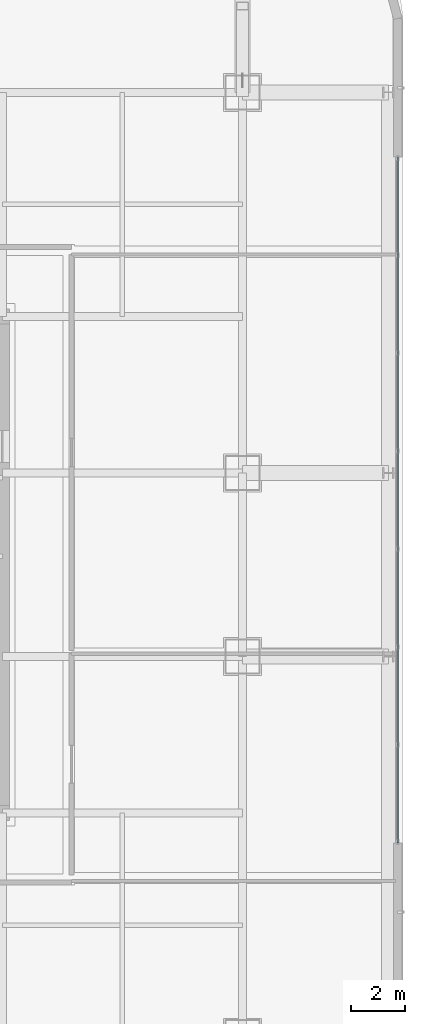
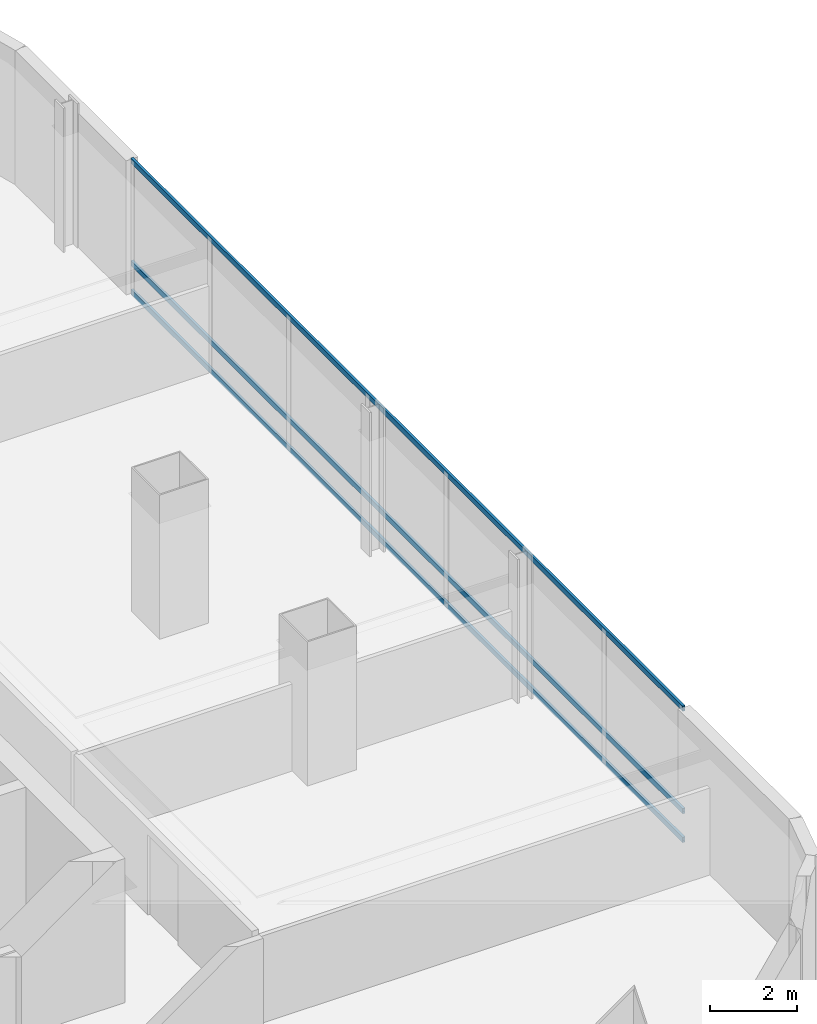
# One storey, part 19 of 51: 3 members, 1 element without a shape of its own.
"""IFC4 building model written with IfcOpenShell, lengths in metres."""

from ifc_helpers import new_model, si_unit, direction, frame, origin, origin_2d, place, context, subcontext, project, spatial, hollow_rectangle, extrude, material, material_profile, profile_set, type_object, element, aggregate, save


model = new_model("IFC4")

# Units and contexts
model_context = context("Model", 3, precision=1e-05, world=origin(), true_north=direction((0.0, 1.0)))
body_context = subcontext(model_context, "Body", "Model", "MODEL_VIEW")
ifc_project = project(units=[si_unit("LENGTHUNIT", "METRE"), si_unit("AREAUNIT", "SQUARE_METRE"), si_unit("VOLUMEUNIT", "CUBIC_METRE"), si_unit("PLANEANGLEUNIT", "RADIAN"), si_unit("MASSUNIT", "GRAM", prefix="KILO")], contexts=[model_context])

# Site, building, storey
site_placement = place(None, origin())
site = spatial("IfcSite", under=ifc_project, at=site_placement, CompositionType="ELEMENT")
building_placement = place(site_placement, origin())
building = spatial("IfcBuilding", under=site, at=building_placement, Name="Punatoya Terracotta Tower", CompositionType="ELEMENT")
storey_placement = place(building_placement, frame((0.0, 0.0, 279.75)))
storey = spatial("IfcBuildingStorey", under=building, at=storey_placement, Name="L66", CompositionType="ELEMENT", Elevation=279.75)

# Curtain wall, members
ifc_material_1 = material(Name="Aluminium 6063-T6 + Double Low-E Glass", Category="aluminium")
curtain_wall_type = type_object("IfcCurtainWallType", Name="CW-M3", PredefinedType="NOTDEFINED", material=ifc_material_1)
curtain_wall_placement = place(storey_placement, origin())
curtain_wall = element("IfcCurtainWall", 1, at=curtain_wall_placement, inside=storey, type_object=curtain_wall_type, Name="L66 Curtain Wall CW-L66-E05-1", PredefinedType="NOTDEFINED")
ifc_material_2 = material(Name="Aluminium 6063-T6", Category="aluminium")
ifc_material_profile = material_profile(ifc_material_2, hollow_rectangle(XDim=0.068115234375, YDim=0.14990234375, WallThickness=0.00390625, at=origin_2d()))
ifc_profile_set = profile_set([ifc_material_profile], Name="Aluminium 6063-T6")
member_type = type_object("IfcMemberType", Name="CW-TRN-TYP", PredefinedType="USERDEFINED", material=ifc_profile_set)
member_1_placement = place(storey_placement, frame((24.85009765625, -10.300048828125, 0.0400390625), z_axis=(0.0, 1.0, 0.0), x_axis=(-1.0, 0.0, 0.0)))
member_1 = element("IfcMember", 2, at=member_1_placement, type_object=member_type, Name="CW-L66-E05-1 Transom 1", ObjectType="TRANSOM", PredefinedType="USERDEFINED", context=body_context, shape_type="SweptSolid", body=[
    extrude(hollow_rectangle(XDim=0.068115234375, YDim=0.14990234375, WallThickness=0.00390625, at=origin_2d()), origin(), (0.0, 0.0, 1.0), 25.400146484375),
])
member_2_placement = place(storey_placement, frame((24.85009765625, -10.300048828125, 0.85009765625), z_axis=(0.0, 1.0, 0.0), x_axis=(-1.0, 0.0, 0.0)))
member_2 = element("IfcMember", 3, at=member_2_placement, type_object=member_type, Name="CW-L66-E05-1 Transom 2", ObjectType="TRANSOM", PredefinedType="USERDEFINED", context=body_context, shape_type="SweptSolid", body=[
    extrude(hollow_rectangle(XDim=0.068115234375, YDim=0.14990234375, WallThickness=0.00390625, at=origin_2d()), origin(), (0.0, 0.0, 1.0), 25.400146484375),
])
member_3_placement = place(storey_placement, frame((24.85009765625, -10.300048828125, 3.72998046875), z_axis=(0.0, 1.0, 0.0), x_axis=(-1.0, 0.0, 0.0)))
member_3 = element("IfcMember", 4, at=member_3_placement, type_object=member_type, Name="CW-L66-E05-1 Transom 3", ObjectType="TRANSOM", PredefinedType="USERDEFINED", context=body_context, shape_type="SweptSolid", body=[
    extrude(hollow_rectangle(XDim=0.068115234375, YDim=0.14990234375, WallThickness=0.00390625, at=origin_2d()), origin(), (0.0, 0.0, 1.0), 25.400146484375),
])
aggregate(curtain_wall, [member_1, member_2, member_3])

save(model, "model.ifc")
